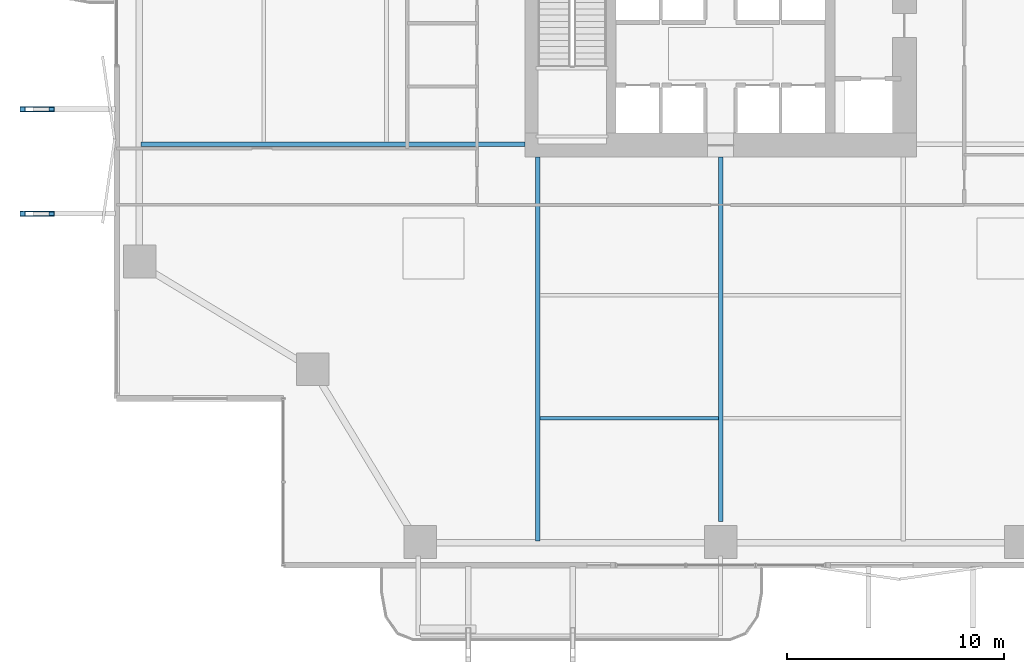
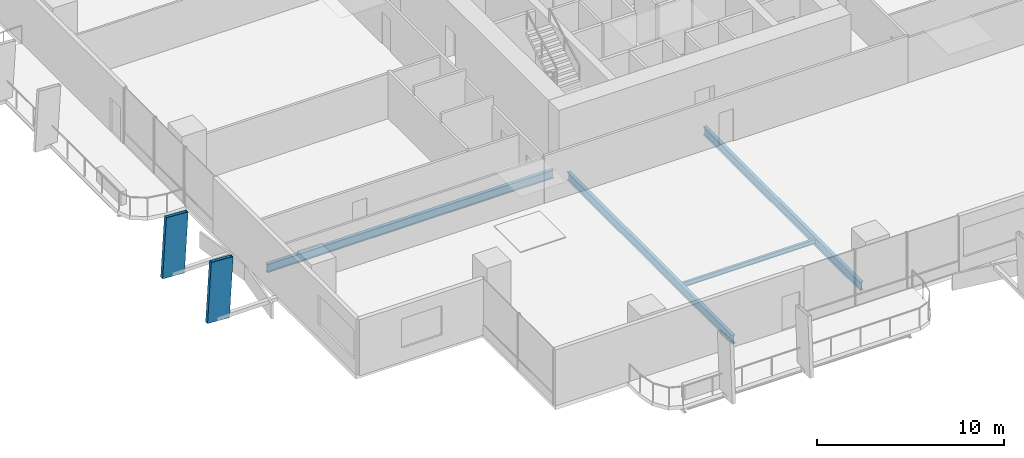
# One storey, part 5 of 30: 4 beams, 2 members.
"""IFC4 building model written with IfcOpenShell, lengths in metres."""

import ifcopenshell
import ifcopenshell.guid

model = None  # the IFC model being written
_history = None  # IfcOwnerHistory: only IFC2X3 demands one
_inside = {}  # id of a spatial element -> (the spatial element, [elements in it])
_under = {}  # id of a project, library or spatial element -> (it, [spatial elements below it])
_declared = {}  # id of a project -> (the project, [libraries it declares])
_typed = {}  # id of a type object -> (the type object, [elements of that type])
_made_of = {}  # id of a material, layer set ... -> (it, [elements and type objects made of it])


def new_model(schema):
    """Start an empty IFC model of exactly this schema.

    Asked for "IFC4X3", IfcOpenShell would pick the latest addendum, in which some entities
    have other attributes; the version numbers below select the first issue.
    IFC2X3 requires an IfcOwnerHistory on every rooted entity: one is made here for all.
    """
    global model, _history
    if schema == "IFC4X3":
        model = ifcopenshell.file(schema_version=(4, 3, 0, 0))
    else:
        model = ifcopenshell.file(schema=schema)
    _inside.clear()
    _under.clear()
    _declared.clear()
    _typed.clear()
    _made_of.clear()
    _history = None
    if model.schema == "IFC2X3":
        org = make("IfcOrganization", Name="unknown")
        user = make(
            "IfcPersonAndOrganization",
            ThePerson=make("IfcPerson", FamilyName="unknown"),
            TheOrganization=org,
        )
        app = make(
            "IfcApplication",
            ApplicationDeveloper=org,
            Version="unknown",
            ApplicationFullName="unknown",
            ApplicationIdentifier="unknown",
        )
        _history = make(
            "IfcOwnerHistory",
            OwningUser=user,
            OwningApplication=app,
            ChangeAction="ADDED",
            CreationDate=0,
        )
    return model


def make(cls, **values):
    """One entity of the class cls with the attributes given. An attribute that is None is left unset."""
    return model.create_entity(
        cls, **{name: value for name, value in values.items() if value is not None}
    )


def rooted(cls, **values):
    """An entity with a GlobalId (a new one), such as an element, a storey or a relation."""
    return make(cls, GlobalId=ifcopenshell.guid.new(), OwnerHistory=_history, **values)


def si_unit(unit_type, name, prefix=None):
    """IfcSIUnit, for example si_unit("LENGTHUNIT", "METRE", prefix="MILLI")."""
    return make("IfcSIUnit", UnitType=unit_type, Prefix=prefix, Name=name)


def assignment(units):
    """IfcUnitAssignment: the units of a project."""
    return None if units is None else make("IfcUnitAssignment", Units=units)


def point(xyz):
    """IfcCartesianPoint."""
    return None if xyz is None else make("IfcCartesianPoint", Coordinates=xyz)


def direction(xyz):
    """IfcDirection."""
    return None if xyz is None else make("IfcDirection", DirectionRatios=xyz)


def frame(location, z_axis=None, x_axis=None):
    """IfcAxis2Placement3D, a coordinate frame: its origin and axes. An axis left out is left unset."""
    return make(
        "IfcAxis2Placement3D",
        Location=point(location),
        Axis=direction(z_axis),
        RefDirection=direction(x_axis),
    )


def frame_2d(location, x_axis=None):
    """IfcAxis2Placement2D, a coordinate frame in the plane: its origin and x axis."""
    return make(
        "IfcAxis2Placement2D", Location=point(location), RefDirection=direction(x_axis)
    )


def origin():
    """The frame at (0, 0, 0) with its axes left unset."""
    return frame((0.0, 0.0, 0.0))


def origin_2d():
    """The frame at (0, 0) in the plane with its x axis left unset."""
    return frame_2d((0.0, 0.0))


def place(relative_to, where):
    """IfcLocalPlacement: puts the frame where relative to a parent placement (None: the world)."""
    return make(
        "IfcLocalPlacement", PlacementRelTo=relative_to, RelativePlacement=where
    )


def context(
    kind, dimensions, precision=None, world=None, true_north=None, identifier=None
):
    """IfcGeometricRepresentationContext, for example the 3D "Model" context."""
    return make(
        "IfcGeometricRepresentationContext",
        ContextIdentifier=identifier,
        ContextType=kind,
        CoordinateSpaceDimension=dimensions,
        Precision=precision,
        WorldCoordinateSystem=world,
        TrueNorth=true_north,
    )


def subcontext(parent, identifier, kind, view, scale=None):
    """IfcGeometricRepresentationSubContext, for example "Body" below "Model"."""
    return make(
        "IfcGeometricRepresentationSubContext",
        ContextIdentifier=identifier,
        ContextType=kind,
        ParentContext=parent,
        TargetScale=scale,
        TargetView=view,
    )


def project(units=None, contexts=None):
    """IfcProject with its units and contexts."""
    return rooted(
        "IfcProject",
        Name="project",
        RepresentationContexts=contexts,
        UnitsInContext=assignment(units),
    )


def spatial(cls, under=None, at=None, **own):
    """A site, building, storey or space (cls), placed at a placement, below another one or the project."""
    s = rooted(cls, ObjectPlacement=at, **own)
    if under is not None:
        _under.setdefault(under.id(), (under, []))[1].append(s)
    return s


def profile(cls, at=None, kind="AREA", **sizes):
    """A parametric profile (cls). Its sizes go by their IFC names, for example OverallWidth=200.0."""
    return make(cls, ProfileType=kind, Position=at, **sizes)


def hollow_rectangle(**sizes):
    """IfcRectangleHollowProfileDef."""
    return profile("IfcRectangleHollowProfileDef", **sizes)


def i_section(**sizes):
    """IfcIShapeProfileDef."""
    return profile("IfcIShapeProfileDef", **sizes)


def extrude(swept, where, along, depth):
    """IfcExtrudedAreaSolid: the profile swept, set in the frame where, extruded along a direction by depth."""
    return make(
        "IfcExtrudedAreaSolid",
        SweptArea=swept,
        Position=where,
        ExtrudedDirection=direction(along),
        Depth=depth,
    )


def shape(context_of_items, identifier, shape_type, items):
    """IfcShapeRepresentation: the items that make up one representation, for example the "Body"."""
    return make(
        "IfcShapeRepresentation",
        ContextOfItems=context_of_items,
        RepresentationIdentifier=identifier,
        RepresentationType=shape_type,
        Items=items,
    )


def material(Name=None, Category=None):
    """IfcMaterial."""
    return make("IfcMaterial", Name=Name, Category=Category)


def material_profile(
    of_material, cross_section, Name=None, Category=None, Priority=None
):
    """IfcMaterialProfile: a cross section and its material."""
    return make(
        "IfcMaterialProfile",
        Name=Name,
        Material=of_material,
        Profile=cross_section,
        Priority=Priority,
        Category=Category,
    )


def profile_set(profiles, Name=None, composite=None):
    """IfcMaterialProfileSet."""
    return make(
        "IfcMaterialProfileSet",
        Name=Name,
        MaterialProfiles=profiles,
        CompositeProfile=composite,
    )


def made_of(thing, what):
    """Note that an element or type object is made of a material, layer set ...; save() writes the relation."""
    if what is not None:
        _made_of.setdefault(what.id(), (what, []))[1].append(thing)
    return thing


def type_object(cls, material=None, **own):
    """A type object (cls), such as IfcWallType, which elements share."""
    return made_of(rooted(cls, **own), material)


def element(
    cls,
    number,
    at=None,
    inside=None,
    cuts=None,
    type_object=None,
    material=None,
    context=None,
    identifier="Body",
    shape_type=None,
    held_by="IfcProductDefinitionShape",
    body=None,
    shapes=None,
    **own,
):
    """One element of the class cls, such as IfcWall. Its Tag is "e" and its number.

    at: its placement. inside: the storey or other place that contains it. cuts: it is an
    opening in that element (IfcRelVoidsElement). A single representation is given by context,
    identifier, shape_type and body (its items); several are given by shapes. held_by: the class
    of the entity that holds the representations. save() writes the other relations.
    """
    e = rooted(cls, Tag="e%d" % number, ObjectPlacement=at, **own)
    if body is not None:
        shapes = [shape(context, identifier, shape_type, body)]
    if shapes is not None:
        e.Representation = make(held_by, Representations=shapes)
    if inside is not None:
        _inside.setdefault(inside.id(), (inside, []))[1].append(e)
    if cuts is not None:
        rooted(
            "IfcRelVoidsElement", RelatingBuildingElement=cuts, RelatedOpeningElement=e
        )
    if type_object is not None:
        _typed.setdefault(type_object.id(), (type_object, []))[1].append(e)
    return made_of(e, material)


def aggregate(whole, parts):
    """IfcRelAggregates: a whole, such as a stair, and the parts it consists of."""
    return rooted("IfcRelAggregates", RelatingObject=whole, RelatedObjects=parts)


def save(model, path):
    """Write the relations noted so far, then the file.

    IfcRelAggregates (storeys below a building ...), IfcRelContainedInSpatialStructure (elements
    in a storey), IfcRelDefinesByType, IfcRelAssociatesMaterial and IfcRelDeclares: one each for
    every whole, place, type object, material and project.
    """
    for whole, parts in _under.values():
        aggregate(whole, parts)
    for where, things in _inside.values():
        rooted(
            "IfcRelContainedInSpatialStructure",
            RelatedElements=things,
            RelatingStructure=where,
        )
    for kind, things in _typed.values():
        rooted("IfcRelDefinesByType", RelatedObjects=things, RelatingType=kind)
    for what, things in _made_of.values():
        rooted("IfcRelAssociatesMaterial", RelatedObjects=things, RelatingMaterial=what)
    for by, libraries in _declared.values():
        rooted("IfcRelDeclares", RelatingContext=by, RelatedDefinitions=libraries)
    model.write(path)


model = new_model("IFC4")

# Units and contexts
model_context = context("Model", 3, precision=1e-05, world=origin(), true_north=direction((0.0, 1.0)))
body_context = subcontext(model_context, "Body", "Model", "MODEL_VIEW")
ifc_project = project(units=[si_unit("LENGTHUNIT", "METRE"), si_unit("AREAUNIT", "SQUARE_METRE"), si_unit("VOLUMEUNIT", "CUBIC_METRE"), si_unit("PLANEANGLEUNIT", "RADIAN"), si_unit("MASSUNIT", "GRAM", prefix="KILO")], contexts=[model_context])

# Site, building, storey
site_placement = place(None, origin())
site = spatial("IfcSite", under=ifc_project, at=site_placement, CompositionType="ELEMENT")
building_placement = place(site_placement, origin())
building = spatial("IfcBuilding", under=site, at=building_placement, Name="Belovzor Exchange Tower", CompositionType="ELEMENT")
storey_placement = place(building_placement, frame((0.0, 0.0, 30.0)))
storey = spatial("IfcBuildingStorey", under=building, at=storey_placement, Name="L06", CompositionType="ELEMENT", Elevation=30.0)

# Members
ifc_material_1 = material(Name="Extruded Architectural Terracotta on Steel S355 Carrier", Category="masonry")
ifc_material_profile_1 = material_profile(ifc_material_1, hollow_rectangle(XDim=0.219970703125, YDim=1.35009765625, WallThickness=0.013916015625, at=origin_2d()))
ifc_profile_set_1 = profile_set([ifc_material_profile_1], Name="Extruded Architectural Terracotta on Steel S355 Carrier")
member_type = type_object("IfcMemberType", Name="Base Arc Sweeping Terracotta Pylon Fin 1450", PredefinedType="USERDEFINED", material=ifc_profile_set_1)
for number, where, z_axis, x_axis, name in (
    (1, (-2.737060546875, 17.199951171875, -0.25), (0.059678094331, 0.0, 0.998217674186), (0.0, 1.0, 0.0), "FIN-TC145 Terracotta Facade Fin L06 W1"),
    (2, (-2.737060546875, 22.0, -0.25), (0.059678094331, 0.0, 0.998217674186), (0.0, 1.0, 0.0), "FIN-TC145 Terracotta Facade Fin L06 W2"),
):
    element("IfcMember", number, at=place(storey_placement, frame(where, z_axis=z_axis, x_axis=x_axis)), inside=storey, type_object=member_type, Name=name, ObjectType="FIN", PredefinedType="USERDEFINED", context=body_context, shape_type="SweptSolid", body=[
        extrude(hollow_rectangle(XDim=0.219970703125, YDim=1.35009765625, WallThickness=0.013916015625, at=origin_2d()), origin(), (0.0, 0.0, 1.0), 3.906982421875),
    ])

# Beams
ifc_material_2 = material(Name="Steel S355", Category="steel")
ifc_material_profile_2 = material_profile(ifc_material_2, i_section(OverallWidth=0.14990234375, OverallDepth=0.300048828125, WebThickness=0.007080078125, FlangeThickness=0.0107421875, at=origin_2d()))
ifc_profile_set_2 = profile_set([ifc_material_profile_2], Name="Steel S355")
beam_type_1 = type_object("IfcBeamType", Name="Secondary Trim Floor Joist IPE 300", PredefinedType="BEAM", material=ifc_profile_set_2)
beam_1_placement = place(storey_placement, frame((20.5048828125, 7.794921875, -0.39990234375), z_axis=(1.0, 0.0, 0.0), x_axis=(0.0, 1.0, 0.0)))
element("IfcBeam", 3, at=beam_1_placement, inside=storey, type_object=beam_type_1, Name="FJ-300 Secondary Trim Floor Joist IPE 300", PredefinedType="BEAM", context=body_context, shape_type="SweptSolid", body=[
    extrude(i_section(OverallWidth=0.14990234375, OverallDepth=0.300048828125, WebThickness=0.007080078125, FlangeThickness=0.0107421875, at=origin_2d()), origin(), (0.0, 0.0, 1.0), 8.190185546875),
])
ifc_material_3 = material(Name="Steel S355", Category="steel")
ifc_material_profile_3 = material_profile(ifc_material_3, i_section(OverallWidth=0.2099609375, OverallDepth=0.550048828125, WebThickness=0.010986328125, FlangeThickness=0.01708984375, at=origin_2d()))
ifc_profile_set_3 = profile_set([ifc_material_profile_3], Name="Steel S355")
beam_type_2 = type_object("IfcBeamType", Name="Zone 1 Radial Composite Floor Beam IPE 550", PredefinedType="BEAM", material=ifc_profile_set_3)
beam_2_placement = place(storey_placement, frame((20.39990234375, 19.800048828125, -0.52490234375), z_axis=(0.0, -1.0, 0.0), x_axis=(1.0, 0.0, 0.0)))
element("IfcBeam", 4, at=beam_2_placement, inside=storey, type_object=beam_type_2, Name="FB-550 Zone 1 Radial Composite Floor Beam IPE 550", PredefinedType="BEAM", context=body_context, shape_type="SweptSolid", body=[
    extrude(i_section(OverallWidth=0.2099609375, OverallDepth=0.550048828125, WebThickness=0.010986328125, FlangeThickness=0.01708984375, at=origin_2d()), origin(), (0.0, 0.0, 1.0), 17.655029296875),
])
beam_3_placement = place(storey_placement, frame((28.800048828125, 19.800048828125, -0.52490234375), z_axis=(0.0, -1.0, 0.0), x_axis=(1.0, 0.0, 0.0)))
element("IfcBeam", 5, at=beam_3_placement, inside=storey, type_object=beam_type_2, Name="FB-550 Zone 1 Radial Composite Floor Beam IPE 550", PredefinedType="BEAM", context=body_context, shape_type="SweptSolid", body=[
    extrude(i_section(OverallWidth=0.2099609375, OverallDepth=0.550048828125, WebThickness=0.010986328125, FlangeThickness=0.01708984375, at=origin_2d()), origin(), (0.0, 0.0, 1.0), 16.758056640625),
])
beam_4_placement = place(storey_placement, frame((19.800048828125, 20.39990234375, -0.52490234375), z_axis=(-1.0, 0.0, 0.0), x_axis=(0.0, -1.0, 0.0)))
element("IfcBeam", 6, at=beam_4_placement, inside=storey, type_object=beam_type_2, Name="FB-550 Zone 1 Radial Composite Floor Beam IPE 550", PredefinedType="BEAM", context=body_context, shape_type="SweptSolid", body=[
    extrude(i_section(OverallWidth=0.2099609375, OverallDepth=0.550048828125, WebThickness=0.010986328125, FlangeThickness=0.01708984375, at=origin_2d()), origin(), (0.0, 0.0, 1.0), 17.655029296875),
])

save(model, "model.ifc")
